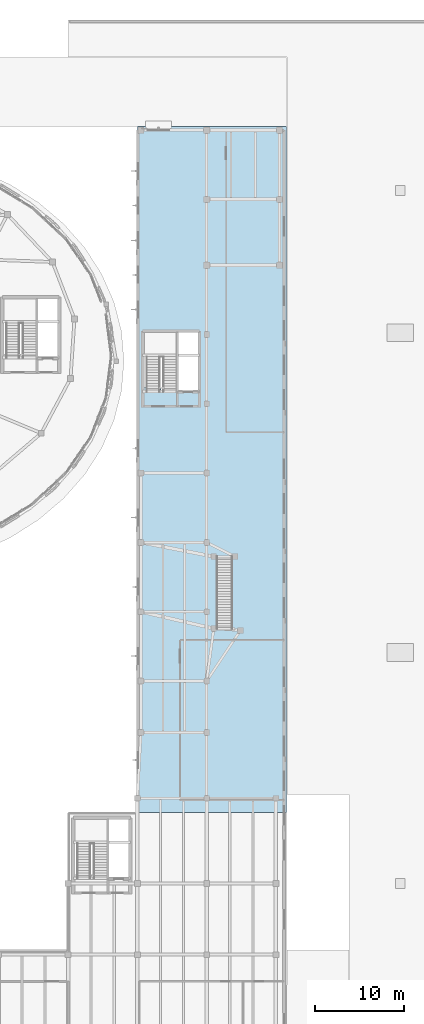
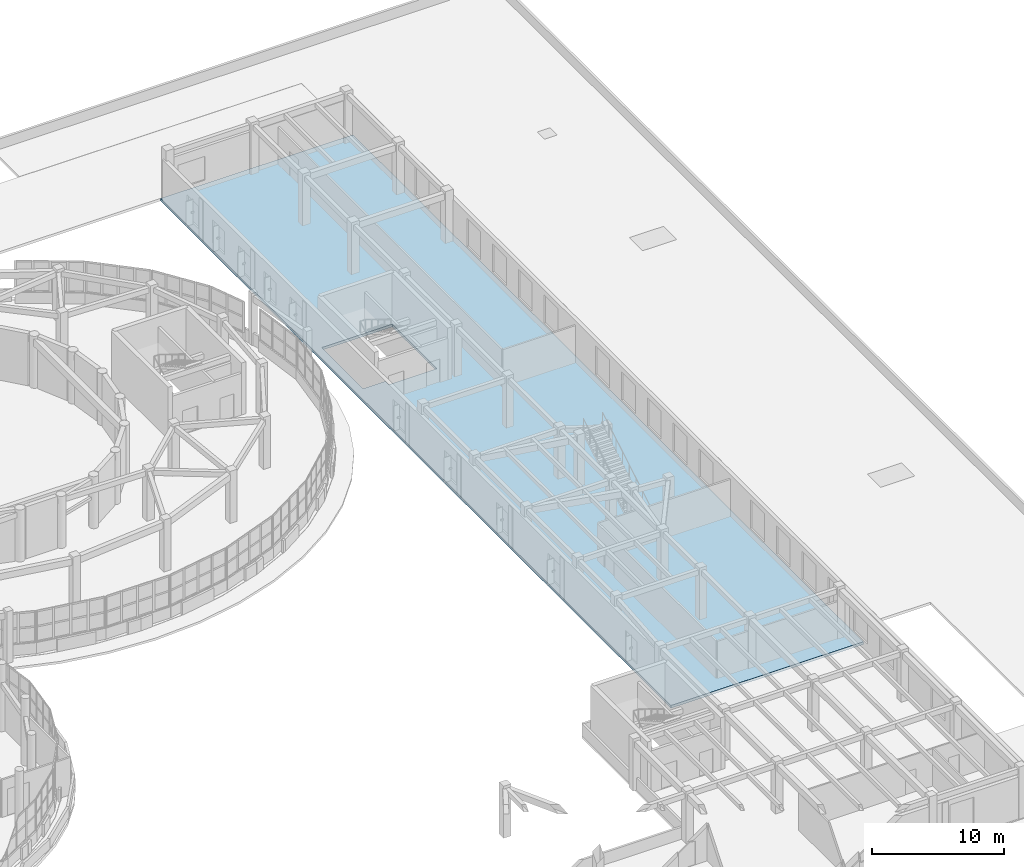
# One storey, part 82 of 105: 1 slab.
"""IFC4 building model written with IfcOpenShell, lengths in metres."""

from ifc_helpers import new_model, si_unit, direction, frame, origin, place, context, subcontext, project, spatial, polyline, outline, extrude, material, layer, layer_set, type_object, element, save


model = new_model("IFC4")

# Units and contexts
model_context = context("Model", 3, precision=1e-05, world=origin(), true_north=direction((0.0, 1.0)))
body_context = subcontext(model_context, "Body", "Model", "MODEL_VIEW")
ifc_project = project(units=[si_unit("LENGTHUNIT", "METRE"), si_unit("AREAUNIT", "SQUARE_METRE"), si_unit("VOLUMEUNIT", "CUBIC_METRE"), si_unit("PLANEANGLEUNIT", "RADIAN"), si_unit("MASSUNIT", "GRAM", prefix="KILO")], contexts=[model_context])

# Site, building, storey
site_placement = place(None, origin())
site = spatial("IfcSite", under=ifc_project, at=site_placement, CompositionType="ELEMENT")
building_placement = place(site_placement, origin())
building = spatial("IfcBuilding", under=site, at=building_placement, Name="Pelvatis Terrace Science Centre", CompositionType="ELEMENT")
storey_placement = place(building_placement, frame((0.0, 0.0, 10.199951171875)))
storey = spatial("IfcBuildingStorey", under=building, at=storey_placement, Name="L02", CompositionType="ELEMENT", Elevation=10.199951171875)

# Slab
ifc_material = material(Name="Concrete C35/45", Category="concrete")
ifc_layer = layer(ifc_material, 0.2451171875)
ifc_layer_set = layer_set([ifc_layer], Name="Concrete C35/45")
slab_type = type_object("IfcSlabType", Name="SLB-FLR-245", PredefinedType="FLOOR", material=ifc_layer_set)
slab_placement = place(storey_placement, frame((0.0, 0.0, -0.244873046875)))
element("IfcSlab", 1, at=slab_placement, inside=storey, type_object=slab_type, Name="L02 Science reference library slab", PredefinedType="FLOOR", context=body_context, shape_type="SweptSolid", body=[
    extrude(outline(polyline([(157.199951171875, 109.199951171875), (157.199951171875, 32.02001953125), (140.39990234375, 32.02001953125), (140.39990234375, 109.199951171875), (157.199951171875, 109.199951171875)]), holes=[polyline([(143.080078125, 79.820068359375), (143.080078125, 79.320068359375), (147.280029296875, 79.320068359375), (147.280029296875, 86.080078125), (141.1201171875, 86.080078125), (141.1201171875, 79.820068359375), (143.080078125, 79.820068359375)])]), origin(), (0.0, 0.0, 1.0), 0.244873046875),
])

save(model, "model.ifc")
